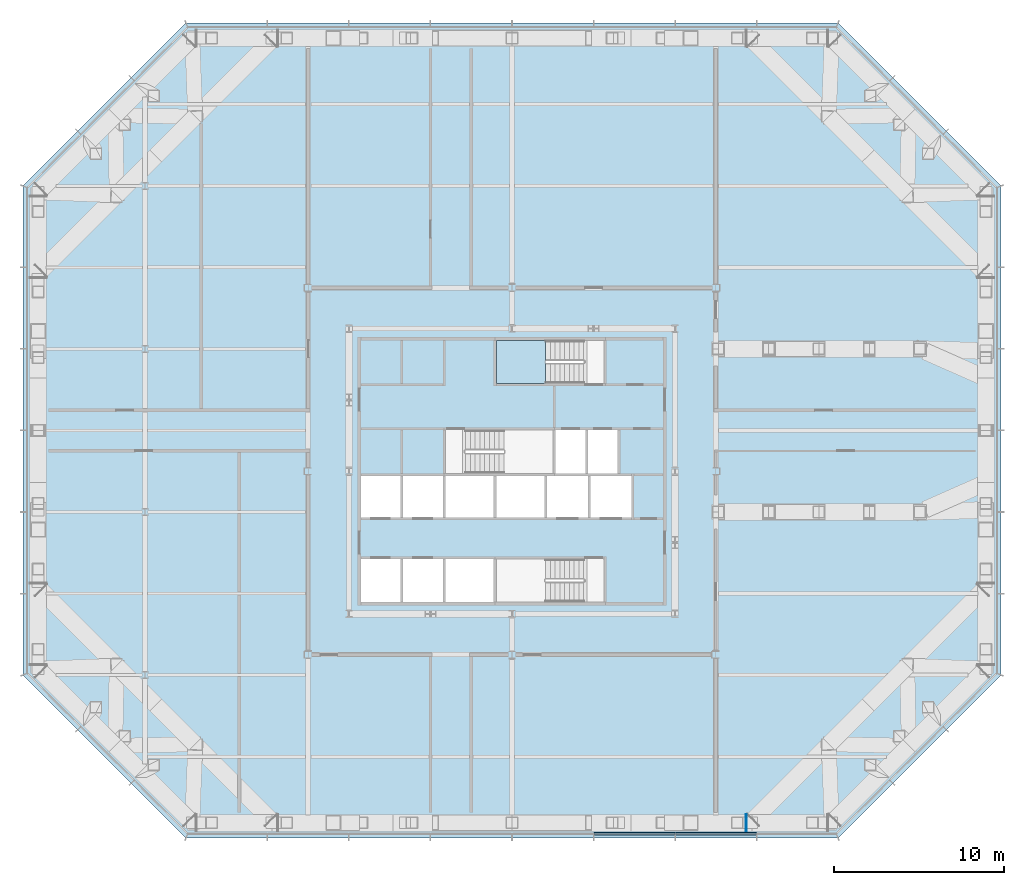
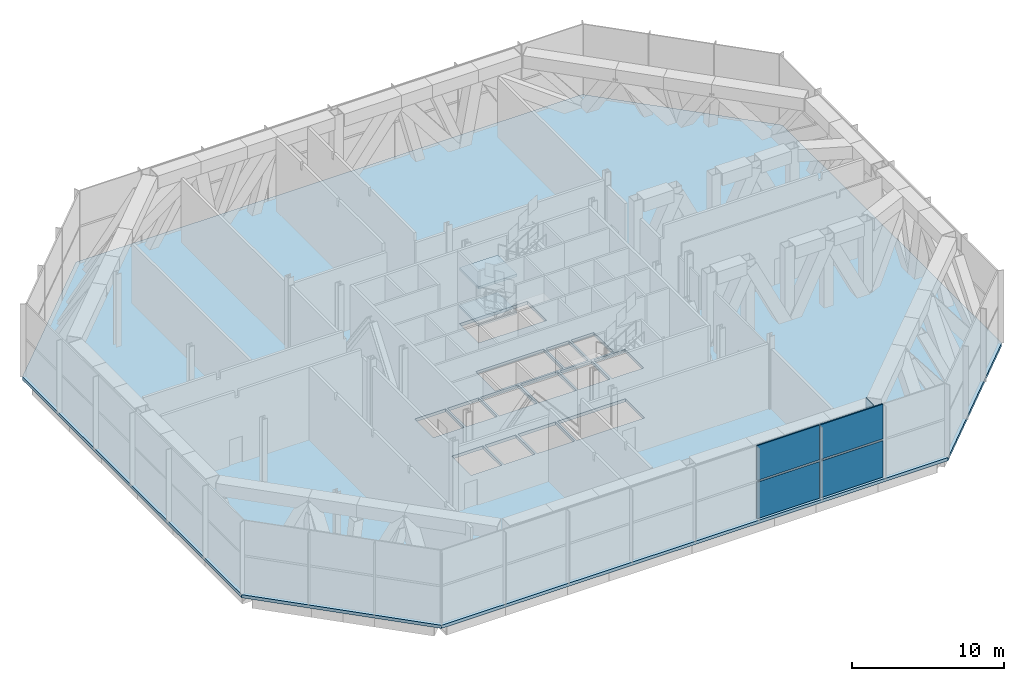
# One storey, part 10 of 17: 5 plates, 3 slabs, 2 elements without a shape of their own.
"""IFC4 building model written with IfcOpenShell, lengths in metres."""

from ifc_helpers import new_model, si_unit, direction, frame, origin, origin_2d, place, context, subcontext, project, spatial, polyline, rectangle, outline, extrude, material, layer, layer_set, material_profile, profile_set, type_object, element, aggregate, save


model = new_model("IFC4")

# Units and contexts
model_context = context("Model", 3, precision=1e-05, world=origin(), true_north=direction((0.0, 1.0)))
body_context = subcontext(model_context, "Body", "Model", "MODEL_VIEW")
ifc_project = project(units=[si_unit("LENGTHUNIT", "METRE"), si_unit("AREAUNIT", "SQUARE_METRE"), si_unit("VOLUMEUNIT", "CUBIC_METRE"), si_unit("PLANEANGLEUNIT", "RADIAN"), si_unit("MASSUNIT", "GRAM", prefix="KILO")], contexts=[model_context])

# Site, building, storey
site_placement = place(None, origin())
site = spatial("IfcSite", under=ifc_project, at=site_placement, CompositionType="ELEMENT")
building_placement = place(site_placement, origin())
building = spatial("IfcBuilding", under=site, at=building_placement, Name="Cairn Pilgrim Tower", CompositionType="ELEMENT")
storey_placement = place(building_placement, frame((0.0, 0.0, 119.39990234375)))
storey = spatial("IfcBuildingStorey", under=building, at=storey_placement, Name="L29", CompositionType="ELEMENT", Elevation=119.39990234375)

# Slab
ifc_material_1 = material(Name="Concrete C35/45", Category="concrete")
ifc_layer_1 = layer(ifc_material_1, 0.25)
ifc_layer_set_1 = layer_set([ifc_layer_1], Name="COMPOSITE FLOOR SLAB 250")
slab_type_1 = type_object("IfcSlabType", Name="COMPOSITE FLOOR SLAB 250", PredefinedType="FLOOR", material=ifc_layer_set_1)
slab_1_placement = place(storey_placement, frame((0.0, 0.0, -0.25)))
element("IfcSlab", 1, at=slab_1_placement, inside=storey, type_object=slab_type_1, Name="FLOOR SLAB L29", PredefinedType="FLOOR", context=body_context, shape_type="SweptSolid", body=[
    extrude(outline(polyline([(-12.0, -19.199951171875), (26.39990234375, -19.199951171875), (36.0, -9.60009765625), (36.0, 19.199951171875), (26.39990234375, 28.800048828125), (-12.0, 28.800048828125), (-21.60009765625, 19.199951171875), (-21.60009765625, -9.60009765625), (-12.0, -19.199951171875)]), holes=[polyline([(-1.72509765625, -5.300048828125), (0.625, -5.300048828125), (0.625, -2.77490234375), (-1.72509765625, -2.77490234375), (-1.72509765625, -5.300048828125)]), polyline([(0.77490234375, -5.300048828125), (3.125, -5.300048828125), (3.125, -2.77490234375), (0.77490234375, -2.77490234375), (0.77490234375, -5.300048828125)]), polyline([(-1.72509765625, -0.324951171875), (0.625, -0.324951171875), (0.625, 2.125), (-1.72509765625, 2.125), (-1.72509765625, -0.324951171875)]), polyline([(0.77490234375, -0.324951171875), (3.125, -0.324951171875), (3.125, 2.125), (0.77490234375, 2.125), (0.77490234375, -0.324951171875)]), polyline([(3.27490234375, -5.300048828125), (6.125, -5.300048828125), (6.125, -2.77490234375), (3.27490234375, -2.77490234375), (3.27490234375, -5.300048828125)]), polyline([(3.27490234375, -0.324951171875), (6.125, -0.324951171875), (6.125, 2.125), (3.27490234375, 2.125), (3.27490234375, -0.324951171875)]), polyline([(6.27490234375, -0.324951171875), (9.125, -0.324951171875), (9.125, 2.125), (6.27490234375, 2.125), (6.27490234375, -0.324951171875)]), polyline([(9.27490234375, -0.324951171875), (11.675048828125, -0.324951171875), (11.675048828125, 2.125), (9.27490234375, 2.125), (9.27490234375, -0.324951171875)]), polyline([(11.824951171875, -0.324951171875), (14.22509765625, -0.324951171875), (14.22509765625, 2.125), (11.824951171875, 2.125), (11.824951171875, -0.324951171875)]), polyline([(9.77490234375, 2.27490234375), (11.52490234375, 2.27490234375), (11.52490234375, 4.824951171875), (9.77490234375, 4.824951171875), (9.77490234375, 2.27490234375)]), polyline([(11.675048828125, 2.27490234375), (13.425048828125, 2.27490234375), (13.425048828125, 4.824951171875), (11.675048828125, 4.824951171875), (11.675048828125, 2.27490234375)]), polyline([(11.424560546875, -2.77490234375), (6.27490234375, -2.77490234375), (6.27490234375, -5.300048828125), (11.424560546875, -5.300048828125), (11.424560546875, -2.77490234375)]), polyline([(4.4755859375, 2.27490234375), (9.625, 2.27490234375), (9.625, 4.824951171875), (4.4755859375, 4.824951171875), (4.4755859375, 2.27490234375)]), polyline([(11.424560546875, 10.10009765625), (6.27490234375, 10.10009765625), (6.27490234375, 7.574951171875), (11.424560546875, 7.574951171875), (11.424560546875, 10.10009765625)])]), origin(), (0.0, 0.0, 1.0), 0.25),
])

# Plate
ifc_material_2 = material(Name="Structural steel S460M", Category="steel")
ifc_material_profile = material_profile(ifc_material_2, rectangle(XDim=1.0, YDim=1.0, at=origin_2d()), Name="END PLATE BOX 1000x1000x60")
ifc_profile_set = profile_set([ifc_material_profile], Name="Structural steel S460M")
plate_type_1 = type_object("IfcPlateType", Name="END PLATE BOX 1000x1000x60", PredefinedType="SHEET", material=ifc_profile_set)
plate_1_placement = place(storey_placement, frame((20.97021484375, -18.300048828125, 5.35009765625), z_axis=(1.0, 0.0, 0.0), x_axis=(0.0, 1.0, 0.0)))
element("IfcPlate", 2, at=plate_1_placement, inside=storey, type_object=plate_type_1, Name="EP-BT29-S-TC8-B", PredefinedType="SHEET", context=body_context, shape_type="SweptSolid", body=[
    extrude(rectangle(XDim=1.0, YDim=1.0, at=origin_2d()), origin(), (0.0, 0.0, 1.0), 0.039794921875),
])

# Curtain wall, plates
ifc_material_3 = material(Name="Aluminium alloy 6063-T6 bronze anodised with Bronze tinted laminated low-E glass 8+16+8.8", Category="aluminium")
curtain_wall_type = type_object("IfcCurtainWallType", Name="PLANT LOUVRE CURTAIN WALL", PredefinedType="NOTDEFINED", material=ifc_material_3)
curtain_wall_placement = place(storey_placement, origin())
curtain_wall = element("IfcCurtainWall", 3, at=curtain_wall_placement, inside=storey, type_object=curtain_wall_type, Name="Plant Louvre Curtain Wall S", PredefinedType="NOTDEFINED")
ifc_material_4 = material(Name="Bronze anodised aluminium louvre blades", Category="aluminium")
ifc_layer_2 = layer(ifc_material_4, 0.10009765625)
ifc_layer_set_2 = layer_set([ifc_layer_2], Name="LOUVRE PANEL 4740x2775")
plate_type_2 = type_object("IfcPlateType", Name="LOUVRE PANEL 4740x2775", PredefinedType="CURTAIN_PANEL", material=ifc_layer_set_2)
plate_2_placement = place(storey_placement, frame((14.39990234375, -18.949951171875, 3.0751953125), z_axis=(0.0, 0.0, 1.0), x_axis=(1.0, 0.0, 0.0)))
plate_2 = element("IfcPlate", 4, at=plate_2_placement, type_object=plate_type_2, Name="Louvre Panel S6-2", PredefinedType="CURTAIN_PANEL", context=body_context, shape_type="SweptSolid", body=[
    extrude(rectangle(XDim=4.739990234375, YDim=0.10009765625, at=origin_2d()), origin(), (0.0, 0.0, 1.0), 2.77490234375),
])
plate_3_placement = place(storey_placement, frame((19.199951171875, -18.949951171875, 3.0751953125), z_axis=(0.0, 0.0, 1.0), x_axis=(1.0, 0.0, 0.0)))
plate_3 = element("IfcPlate", 5, at=plate_3_placement, type_object=plate_type_2, Name="Louvre Panel S7-2", PredefinedType="CURTAIN_PANEL", context=body_context, shape_type="SweptSolid", body=[
    extrude(rectangle(XDim=4.739990234375, YDim=0.10009765625, at=origin_2d()), origin(), (0.0, 0.0, 1.0), 2.77490234375),
])
ifc_layer_3 = layer(ifc_material_4, 0.10009765625)
ifc_layer_set_3 = layer_set([ifc_layer_3], Name="LOUVRE PANEL 4740x2925")
plate_type_3 = type_object("IfcPlateType", Name="LOUVRE PANEL 4740x2925", PredefinedType="CURTAIN_PANEL", material=ifc_layer_set_3)
plate_4_placement = place(storey_placement, frame((14.39990234375, -18.949951171875, 0.0), z_axis=(0.0, 0.0, 1.0), x_axis=(1.0, 0.0, 0.0)))
plate_4 = element("IfcPlate", 6, at=plate_4_placement, type_object=plate_type_3, Name="Louvre Panel S6-1", PredefinedType="CURTAIN_PANEL", context=body_context, shape_type="SweptSolid", body=[
    extrude(rectangle(XDim=4.739990234375, YDim=0.10009765625, at=origin_2d()), origin(), (0.0, 0.0, 1.0), 2.925048828125),
])
plate_5_placement = place(storey_placement, frame((19.199951171875, -18.949951171875, 0.0), z_axis=(0.0, 0.0, 1.0), x_axis=(1.0, 0.0, 0.0)))
plate_5 = element("IfcPlate", 7, at=plate_5_placement, type_object=plate_type_3, Name="Louvre Panel S7-1", PredefinedType="CURTAIN_PANEL", context=body_context, shape_type="SweptSolid", body=[
    extrude(rectangle(XDim=4.739990234375, YDim=0.10009765625, at=origin_2d()), origin(), (0.0, 0.0, 1.0), 2.925048828125),
])
aggregate(curtain_wall, [plate_4, plate_2, plate_5, plate_3])

# Stair, slabs
ifc_material_5 = material(Name="Concrete C32/40", Category="concrete")
stair_type = type_object("IfcStairType", Name="EXIT STAIR 1200", PredefinedType="HALF_TURN_STAIR", material=ifc_material_5)
stair_placement = place(storey_placement, origin())
stair = element("IfcStair", 8, at=stair_placement, inside=storey, type_object=stair_type, Name="L29 Exit Stair C", PredefinedType="HALF_TURN_STAIR")
ifc_layer_4 = layer(ifc_material_5, 0.199951171875)
ifc_layer_set_4 = layer_set([ifc_layer_4], Name="STAIR LANDING 200")
slab_type_2 = type_object("IfcSlabType", Name="STAIR LANDING 200", PredefinedType="LANDING", material=ifc_layer_set_4)
slab_2_placement = place(storey_placement, frame((0.0, 0.0, 1.300048828125)))
slab_2 = element("IfcSlab", 9, at=slab_2_placement, type_object=slab_type_2, Name="ST-C landing 1", PredefinedType="LANDING", context=body_context, shape_type="SweptSolid", body=[
    extrude(outline(polyline([(9.18505859375, 10.10009765625), (6.27490234375, 10.10009765625), (6.27490234375, 7.574951171875), (9.18505859375, 7.574951171875), (9.18505859375, 10.10009765625)])), origin(), (0.0, 0.0, 1.0), 0.199951171875),
])
slab_3_placement = place(storey_placement, frame((0.0, 0.0, 4.300048828125)))
slab_3 = element("IfcSlab", 10, at=slab_3_placement, type_object=slab_type_2, Name="ST-C landing 3", PredefinedType="LANDING", context=body_context, shape_type="SweptSolid", body=[
    extrude(outline(polyline([(9.18505859375, 10.10009765625), (6.27490234375, 10.10009765625), (6.27490234375, 7.574951171875), (9.18505859375, 7.574951171875), (9.18505859375, 10.10009765625)])), origin(), (0.0, 0.0, 1.0), 0.199951171875),
])
aggregate(stair, [slab_2, slab_3])

save(model, "model.ifc")
